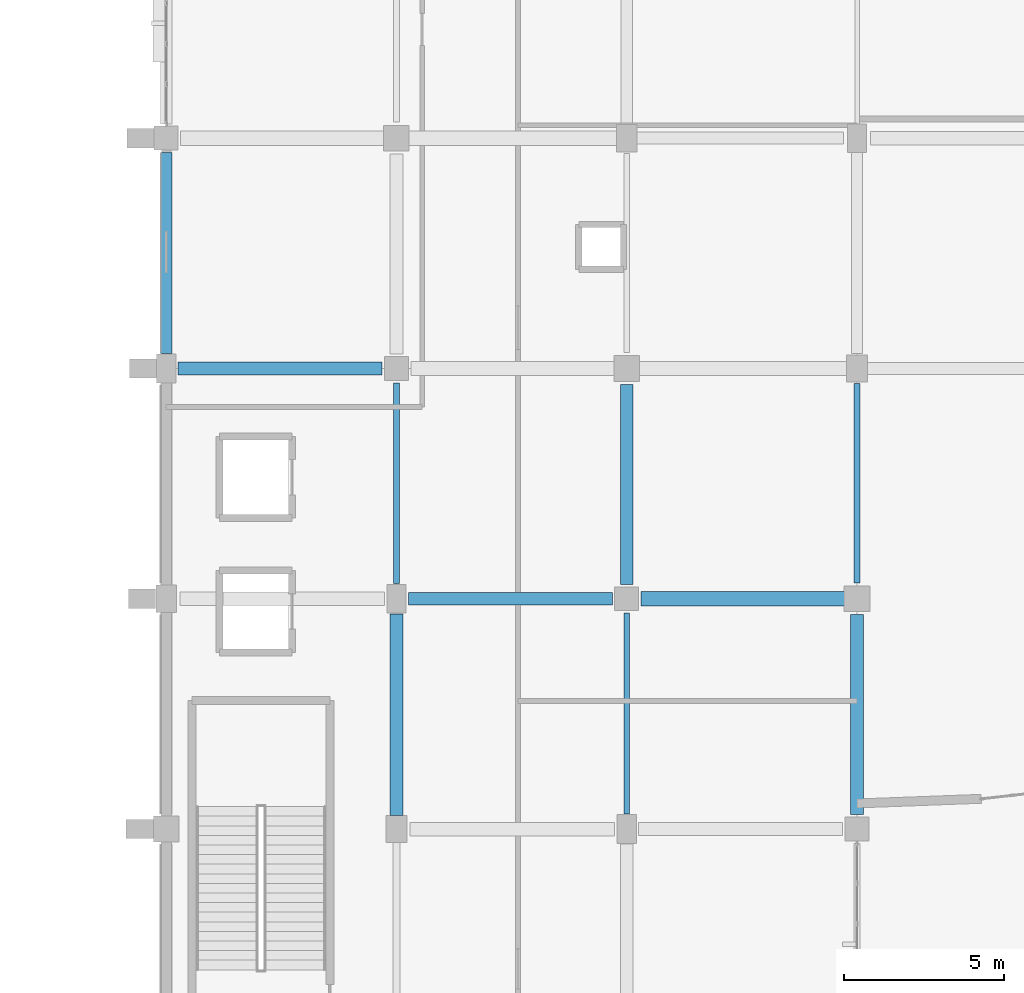
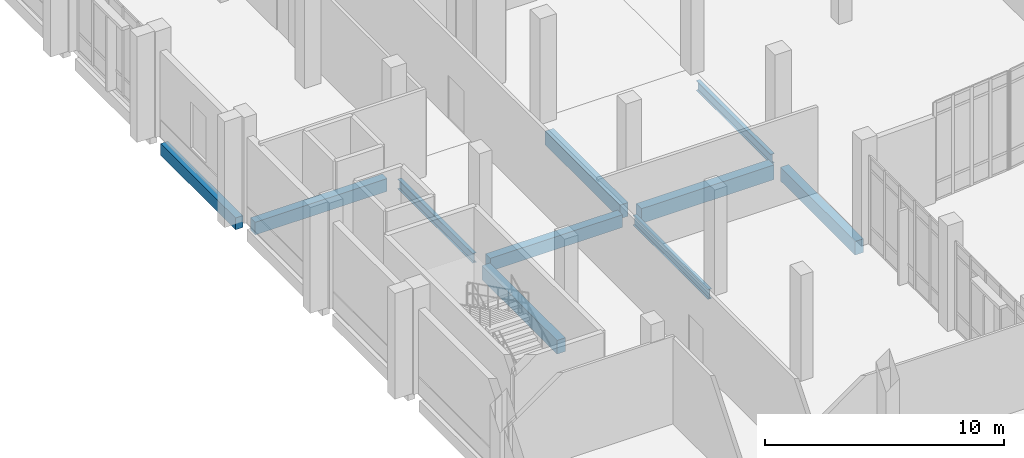
# One storey, part 20 of 110: 10 beams.
"""IFC4 building model written with IfcOpenShell, lengths in metres."""

from ifc_helpers import new_model, si_unit, direction, frame, origin, origin_2d, place, context, subcontext, project, spatial, rectangle, i_section, extrude, material, material_profile, profile_set, type_object, element, save


model = new_model("IFC4")

# Units and contexts
model_context = context("Model", 3, precision=1e-05, world=origin(), true_north=direction((0.0, 1.0)))
body_context = subcontext(model_context, "Body", "Model", "MODEL_VIEW")
ifc_project = project(units=[si_unit("LENGTHUNIT", "METRE"), si_unit("AREAUNIT", "SQUARE_METRE"), si_unit("VOLUMEUNIT", "CUBIC_METRE"), si_unit("PLANEANGLEUNIT", "RADIAN"), si_unit("MASSUNIT", "GRAM", prefix="KILO")], contexts=[model_context])

# Site, building, storey
site_placement = place(None, origin())
site = spatial("IfcSite", under=ifc_project, at=site_placement, CompositionType="ELEMENT")
building_placement = place(site_placement, origin())
building = spatial("IfcBuilding", under=site, at=building_placement, Name="Kalluvel Institute of Natural Sciences", CompositionType="ELEMENT")
storey_placement = place(building_placement, origin())
storey = spatial("IfcBuildingStorey", under=building, at=storey_placement, Name="L00", CompositionType="ELEMENT", Elevation=0.0)

# Beams
ifc_material_1 = material(Name="Steel E350 Grade 350", Category="steel")
ifc_material_profile_1 = material_profile(ifc_material_1, i_section(OverallWidth=0.179931640625, OverallDepth=0.5, WebThickness=0.01025390625, FlangeThickness=0.01708984375, FilletRadius=0.01708984375, at=origin_2d()), Name="ISMB 500")
ifc_profile_set_1 = profile_set([ifc_material_profile_1], Name="Steel E350 Grade 350")
beam_type_1 = type_object("IfcBeamType", Name="BM-ISMB500", PredefinedType="BEAM", material=ifc_profile_set_1)
for number, where, z_axis, x_axis, name in (
    (1, (21.199951171875, 57.675048828125, -0.570068359375), (0.0, 1.0, 0.0), (-1.0, 0.0, 0.0), "L00 girder GIR-L00-NS-X212-Y572"),
    (2, (28.39990234375, 50.47509765625, -0.570068359375), (0.0, 1.0, 0.0), (-1.0, 0.0, 0.0), "L00 girder GIR-L00-NS-X284-Y500"),
):
    element("IfcBeam", number, at=place(storey_placement, frame(where, z_axis=z_axis, x_axis=x_axis)), inside=storey, type_object=beam_type_1, Name=name, PredefinedType="BEAM", context=body_context, shape_type="SweptSolid", body=[
        extrude(i_section(OverallWidth=0.179931640625, OverallDepth=0.5, WebThickness=0.01025390625, FlangeThickness=0.01708984375, FilletRadius=0.01708984375, at=origin_2d()), origin(), (0.0, 0.0, 1.0), 6.27490234375),
    ])
beam_1_placement = place(storey_placement, frame((35.60009765625, 57.699951171875, -0.570068359375), z_axis=(0.0, 1.0, 0.0), x_axis=(-1.0, 0.0, 0.0)))
element("IfcBeam", 3, at=beam_1_placement, inside=storey, type_object=beam_type_1, Name="L00 girder GIR-L00-NS-X356-Y572", PredefinedType="BEAM", context=body_context, shape_type="SweptSolid", body=[
    extrude(i_section(OverallWidth=0.179931640625, OverallDepth=0.5, WebThickness=0.01025390625, FlangeThickness=0.01708984375, FilletRadius=0.01708984375, at=origin_2d()), origin(), (0.0, 0.0, 1.0), 6.22509765625),
])
ifc_material_2 = material(Name="Concrete M40", Category="concrete")
ifc_material_profile_2 = material_profile(ifc_material_2, rectangle(XDim=0.39990234375, YDim=0.64990234375, at=origin_2d()), Name="RCB 400x650")
ifc_profile_set_2 = profile_set([ifc_material_profile_2], Name="Concrete M40")
beam_type_2 = type_object("IfcBeamType", Name="BM-RC400x650", PredefinedType="BEAM", material=ifc_profile_set_2)
for number, where, z_axis, x_axis, name in (
    (4, (21.574951171875, 57.199951171875, -0.64501953125), (1.0, 0.0, 0.0), (0.0, 1.0, 0.0), "L00 girder GIR-L00-EW-X212-Y572"),
    (5, (14.375, 64.39990234375, -0.64501953125), (1.0, 0.0, 0.0), (0.0, 1.0, 0.0), "L00 girder GIR-L00-EW-X140-Y644"),
):
    element("IfcBeam", number, at=place(storey_placement, frame(where, z_axis=z_axis, x_axis=x_axis)), inside=storey, type_object=beam_type_2, Name=name, PredefinedType="BEAM", context=body_context, shape_type="SweptSolid", body=[
        extrude(rectangle(XDim=0.39990234375, YDim=0.64990234375, at=origin_2d()), origin(), (0.0, 0.0, 1.0), 6.375),
    ])
ifc_material_profile_3 = material_profile(ifc_material_2, rectangle(XDim=0.39990234375, YDim=0.699951171875, at=origin_2d()), Name="RCB 400x700")
ifc_profile_set_3 = profile_set([ifc_material_profile_3], Name="Concrete M40")
beam_type_3 = type_object("IfcBeamType", Name="BM-RC400x700", PredefinedType="BEAM", material=ifc_profile_set_3)
beam_2_placement = place(storey_placement, frame((21.199951171875, 50.425048828125, -0.669921875), z_axis=(0.0, 1.0, 0.0), x_axis=(-1.0, 0.0, 0.0)))
element("IfcBeam", 6, at=beam_2_placement, inside=storey, type_object=beam_type_3, Name="L00 girder GIR-L00-NS-X212-Y500", PredefinedType="BEAM", context=body_context, shape_type="SweptSolid", body=[
    extrude(rectangle(XDim=0.39990234375, YDim=0.699951171875, at=origin_2d()), origin(), (0.0, 0.0, 1.0), 6.300048828125),
])
for number, where, z_axis, x_axis, name in (
    (7, (28.39990234375, 57.64990234375, -0.669921875), (0.0, 1.0, 0.0), (-1.0, 0.0, 0.0), "L00 girder GIR-L00-NS-X284-Y572"),
    (8, (35.60009765625, 50.449951171875, -0.669921875), (0.0, 1.0, 0.0), (-1.0, 0.0, 0.0), "L00 girder GIR-L00-NS-X356-Y500"),
):
    element("IfcBeam", number, at=place(storey_placement, frame(where, z_axis=z_axis, x_axis=x_axis)), inside=storey, type_object=beam_type_3, Name=name, PredefinedType="BEAM", context=body_context, shape_type="SweptSolid", body=[
        extrude(rectangle(XDim=0.39990234375, YDim=0.699951171875, at=origin_2d()), origin(), (0.0, 0.0, 1.0), 6.25),
    ])
ifc_material_profile_4 = material_profile(ifc_material_2, rectangle(XDim=0.449951171875, YDim=0.75, at=origin_2d()), Name="RCB 450x750")
ifc_profile_set_4 = profile_set([ifc_material_profile_4], Name="Concrete M40")
beam_type_4 = type_object("IfcBeamType", Name="BM-RC450x750", PredefinedType="BEAM", material=ifc_profile_set_4)
beam_3_placement = place(storey_placement, frame((28.85009765625, 57.199951171875, -0.695068359375), z_axis=(1.0, 0.0, 0.0), x_axis=(0.0, 1.0, 0.0)))
element("IfcBeam", 9, at=beam_3_placement, inside=storey, type_object=beam_type_4, Name="L00 girder GIR-L00-EW-X284-Y572", PredefinedType="BEAM", context=body_context, shape_type="SweptSolid", body=[
    extrude(rectangle(XDim=0.449951171875, YDim=0.75, at=origin_2d()), origin(), (0.0, 0.0, 1.0), 6.39990234375),
])
ifc_material_profile_5 = material_profile(ifc_material_2, rectangle(XDim=0.35009765625, YDim=0.60009765625, at=origin_2d()), Name="RCB 350x600")
ifc_profile_set_5 = profile_set([ifc_material_profile_5], Name="Concrete M40")
beam_type_5 = type_object("IfcBeamType", Name="SP-RC350x600", PredefinedType="SPANDREL", material=ifc_profile_set_5)
beam_4_placement = place(storey_placement, frame((14.0, 64.875, -0.6201171875), z_axis=(0.0, 1.0, 0.0), x_axis=(-1.0, 0.0, 0.0)))
element("IfcBeam", 10, at=beam_4_placement, inside=storey, type_object=beam_type_5, Name="L00 girder GIR-L00-NS-X140-Y644", PredefinedType="SPANDREL", context=body_context, shape_type="SweptSolid", body=[
    extrude(rectangle(XDim=0.35009765625, YDim=0.60009765625, at=origin_2d()), origin(), (0.0, 0.0, 1.0), 6.27490234375),
])

save(model, "model.ifc")
